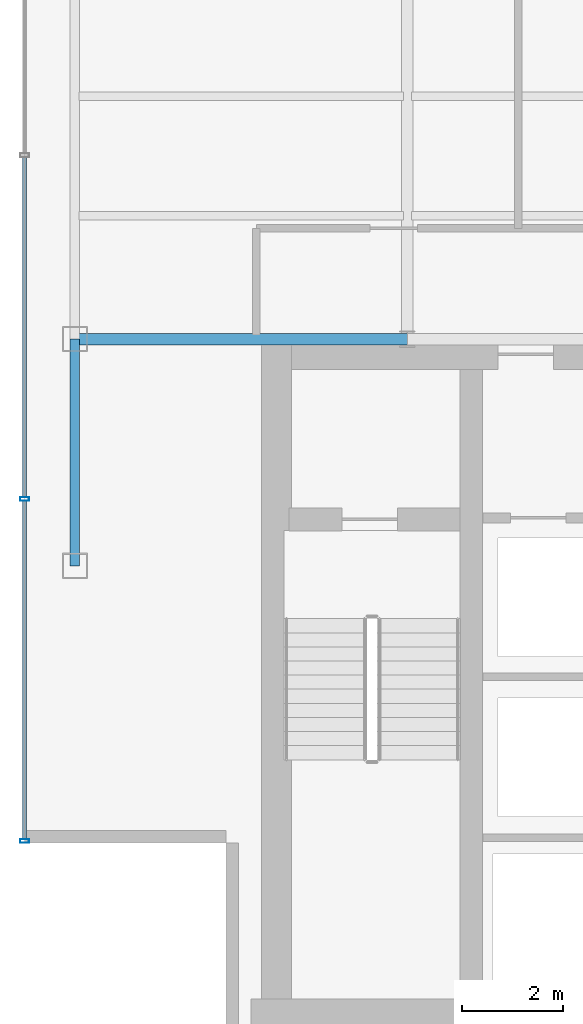
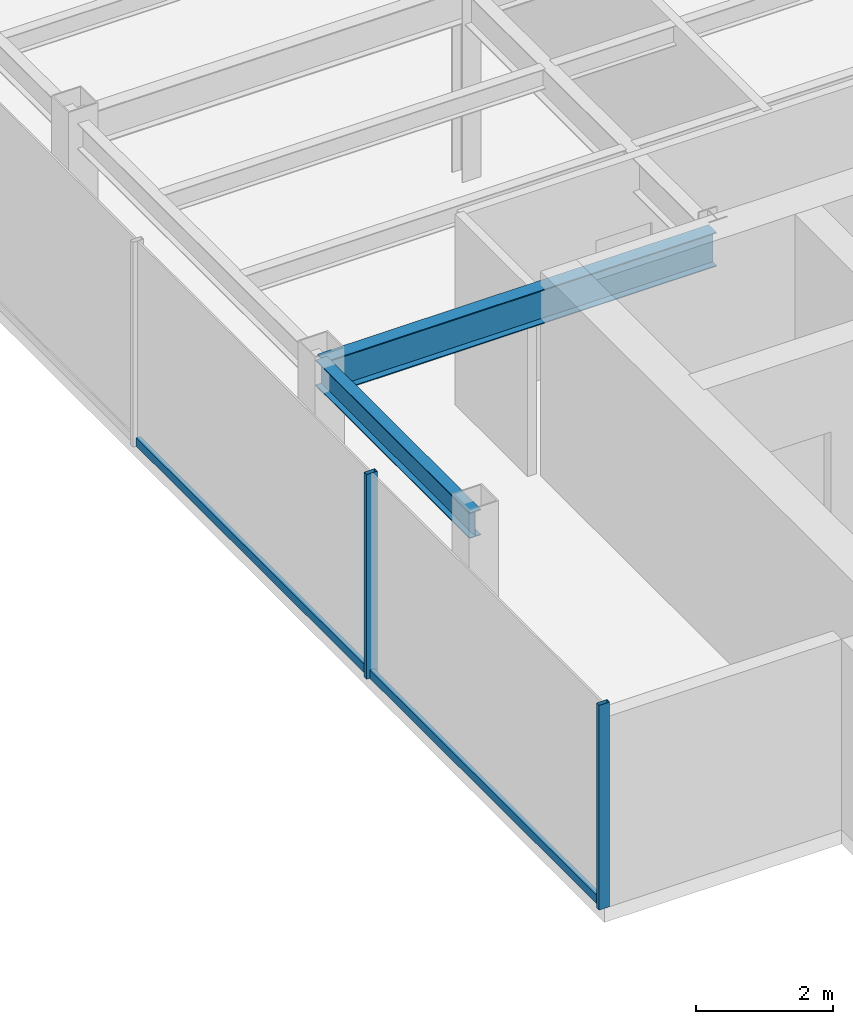
# One storey, part 3 of 22: 4 members, 2 beams, 1 element without a shape of its own.
"""IFC4 building model written with IfcOpenShell, lengths in metres."""

from ifc_helpers import new_model, si_unit, derived_unit, direction, frame, origin, origin_2d, place, context, subcontext, project, spatial, hollow_rectangle, i_section, extrude, source, transform, mapped, material, material_profile, profile_set, type_object, element, aggregate, save


model = new_model("IFC4")

# Units and contexts
model_context = context("Model", 3, precision=1e-05, world=origin(), true_north=direction((0.0, 1.0)))
body_context = subcontext(model_context, "Body", "Model", "MODEL_VIEW")
ifc_project = project(units=[si_unit("LENGTHUNIT", "METRE"), si_unit("AREAUNIT", "SQUARE_METRE"), si_unit("VOLUMEUNIT", "CUBIC_METRE"), si_unit("PLANEANGLEUNIT", "RADIAN"), si_unit("MASSUNIT", "GRAM", prefix="KILO"), derived_unit("THERMALTRANSMITTANCEUNIT", [(si_unit("POWERUNIT", "WATT"), 1), (si_unit("LENGTHUNIT", "METRE"), -2), (si_unit("THERMODYNAMICTEMPERATUREUNIT", "KELVIN"), -1)])], contexts=[model_context])

# Site, building, storey
site_placement = place(None, origin())
site = spatial("IfcSite", under=ifc_project, at=site_placement, CompositionType="ELEMENT")
building_placement = place(site_placement, origin())
building = spatial("IfcBuilding", under=site, at=building_placement, Name="Skarnbrae Concourse Arena and Tower", CompositionType="ELEMENT")
storey_placement = place(building_placement, frame((0.0, 0.0, 203.199951171875)))
storey = spatial("IfcBuildingStorey", under=building, at=storey_placement, Name="L52", CompositionType="ELEMENT", Elevation=203.199951171875)

# Beams
ifc_material_1 = material(Name="Steel CSA G40.21 350W", Category="steel")
ifc_material_profile_1 = material_profile(ifc_material_1, i_section(OverallWidth=0.22802734375, OverallDepth=0.60791015625, WebThickness=0.01123046875, FlangeThickness=0.017333984375, at=origin_2d()), Name="W610X113")
ifc_profile_set_1 = profile_set([ifc_material_profile_1], Name="Steel CSA G40.21 350W")
beam_type_1 = type_object("IfcBeamType", Name="BM-GIRD-W610X113", PredefinedType="BEAM", material=ifc_profile_set_1)
shared_shape_1 = source(origin(), body_context, "Body", "SweptSolid", [
    extrude(i_section(OverallWidth=0.22802734375, OverallDepth=0.60791015625, WebThickness=0.01123046875, FlangeThickness=0.017333984375, at=origin_2d()), origin(), (0.0, 0.0, 1.0), 6.60009765625),
])
beam_1_placement = place(storey_placement, frame((1.0, 14.0, 3.095947265625), z_axis=(1.0, 0.0, 0.0), x_axis=(0.0, 1.0, 0.0)))
element("IfcBeam", 1, at=beam_1_placement, inside=storey, type_object=beam_type_1, Name="L52 Primary E-W girder Y14.0-1", PredefinedType="BEAM", context=body_context, shape_type="MappedRepresentation", body=[
    mapped(shared_shape_1, transform((0.0, 0.0, 0.0))),
])
ifc_material_profile_2 = material_profile(ifc_material_1, i_section(OverallWidth=0.19091796875, OverallDepth=0.4599609375, WebThickness=0.010009765625, FlangeThickness=0.01611328125, at=origin_2d()), Name="W460X82")
ifc_profile_set_2 = profile_set([ifc_material_profile_2], Name="Steel CSA G40.21 350W")
beam_type_2 = type_object("IfcBeamType", Name="BM-SPAN-W460X82", PredefinedType="SPANDREL", material=ifc_profile_set_2)
shared_shape_2 = source(origin(), body_context, "Body", "SweptSolid", [
    extrude(i_section(OverallWidth=0.19091796875, OverallDepth=0.4599609375, WebThickness=0.010009765625, FlangeThickness=0.01611328125, at=origin_2d()), origin(), (0.0, 0.0, 1.0), 4.5),
])
beam_2_placement = place(storey_placement, frame((1.0, 9.5, 3.170166015625), z_axis=(0.0, 1.0, 0.0), x_axis=(-1.0, 0.0, 0.0)))
element("IfcBeam", 2, at=beam_2_placement, inside=storey, type_object=beam_type_2, Name="L52 Perimeter spandrel X1.0-1", PredefinedType="SPANDREL", context=body_context, shape_type="MappedRepresentation", body=[
    mapped(shared_shape_2, transform((0.0, 0.0, 0.0))),
])

# Curtain wall, members
ifc_material_2 = material(Name="Bronze anodised aluminium 6063-T6", Category="aluminium")
curtain_wall_type = type_object("IfcCurtainWallType", Name="CW-SYS-05-HIGHZONE", PredefinedType="USERDEFINED", material=ifc_material_2)
curtain_wall_placement = place(storey_placement, origin())
curtain_wall = element("IfcCurtainWall", 3, at=curtain_wall_placement, inside=storey, type_object=curtain_wall_type, Name="L52 Unitised curtain wall CW-L52-E18", ObjectType="UNITISED CURTAIN WALL", PredefinedType="USERDEFINED")
ifc_material_profile_3 = material_profile(ifc_material_2, hollow_rectangle(XDim=0.074951171875, YDim=0.14990234375, WallThickness=0.00390625, at=origin_2d()), Name="ALU-TRAN-75X150")
ifc_profile_set_3 = profile_set([ifc_material_profile_3], Name="Bronze anodised aluminium 6063-T6")
member_type_1 = type_object("IfcMemberType", Name="CWT-CW-05", PredefinedType="USERDEFINED", material=ifc_profile_set_3)
shared_shape_3 = source(origin(), body_context, "Body", "SweptSolid", [
    extrude(hollow_rectangle(XDim=0.074951171875, YDim=0.14990234375, WallThickness=0.00390625, at=origin_2d()), origin(), (0.0, 0.0, 1.0), 6.712646484375),
])
member_1_placement = place(storey_placement, frame((0.0, 10.78759765625, 0.074951171875), z_axis=(0.0, -1.0, 0.0), x_axis=(1.0, 0.0, 0.0)))
member_1 = element("IfcMember", 4, at=member_1_placement, type_object=member_type_1, Name="CW-L52-E18 Transom 4", ObjectType="TRANSOM", PredefinedType="USERDEFINED", context=body_context, shape_type="MappedRepresentation", body=[
    mapped(shared_shape_3, transform((0.0, 0.0, 0.0))),
])
shared_shape_4 = source(origin(), body_context, "Body", "SweptSolid", [
    extrude(hollow_rectangle(XDim=0.074951171875, YDim=0.14990234375, WallThickness=0.00390625, at=origin_2d()), origin(), (0.0, 0.0, 1.0), 6.75),
])
member_2_placement = place(storey_placement, frame((0.0, 17.612548828125, 0.074951171875), z_axis=(0.0, -1.0, 0.0), x_axis=(1.0, 0.0, 0.0)))
member_2 = element("IfcMember", 5, at=member_2_placement, type_object=member_type_1, Name="CW-L52-E18 Transom 3", ObjectType="TRANSOM", PredefinedType="USERDEFINED", context=body_context, shape_type="MappedRepresentation", body=[
    mapped(shared_shape_4, transform((0.0, 0.0, 0.0))),
])
ifc_material_profile_4 = material_profile(ifc_material_2, hollow_rectangle(XDim=0.074951171875, YDim=0.179931640625, WallThickness=0.00390625, at=origin_2d()), Name="ALU-MULL-75X180")
ifc_profile_set_4 = profile_set([ifc_material_profile_4], Name="Bronze anodised aluminium 6063-T6")
member_type_2 = type_object("IfcMemberType", Name="CWM-CW-05", PredefinedType="MULLION", material=ifc_profile_set_4)
shared_shape_5 = source(origin(), body_context, "Body", "SweptSolid", [
    extrude(hollow_rectangle(XDim=0.074951171875, YDim=0.179931640625, WallThickness=0.00390625, at=origin_2d()), origin(), (0.0, 0.0, 1.0), 3.650146484375),
])
member_3_placement = place(storey_placement, frame((0.0, 10.824951171875, 0.0), z_axis=(0.0, 0.0, 1.0), x_axis=(0.0, -1.0, 0.0)))
member_3 = element("IfcMember", 6, at=member_3_placement, type_object=member_type_2, Name="CW-L52-E18 Mullion 4", PredefinedType="MULLION", context=body_context, shape_type="MappedRepresentation", body=[
    mapped(shared_shape_5, transform((0.0, 0.0, 0.0))),
])
member_4_placement = place(storey_placement, frame((0.0, 4.03759765625, 0.0), z_axis=(0.0, 0.0, 1.0), x_axis=(0.0, -1.0, 0.0)))
member_4 = element("IfcMember", 7, at=member_4_placement, type_object=member_type_2, Name="CW-L52-E18 Mullion 5", PredefinedType="MULLION", context=body_context, shape_type="MappedRepresentation", body=[
    mapped(shared_shape_5, transform((0.0, 0.0, 0.0))),
])
aggregate(curtain_wall, [member_3, member_4, member_2, member_1])

save(model, "model.ifc")
